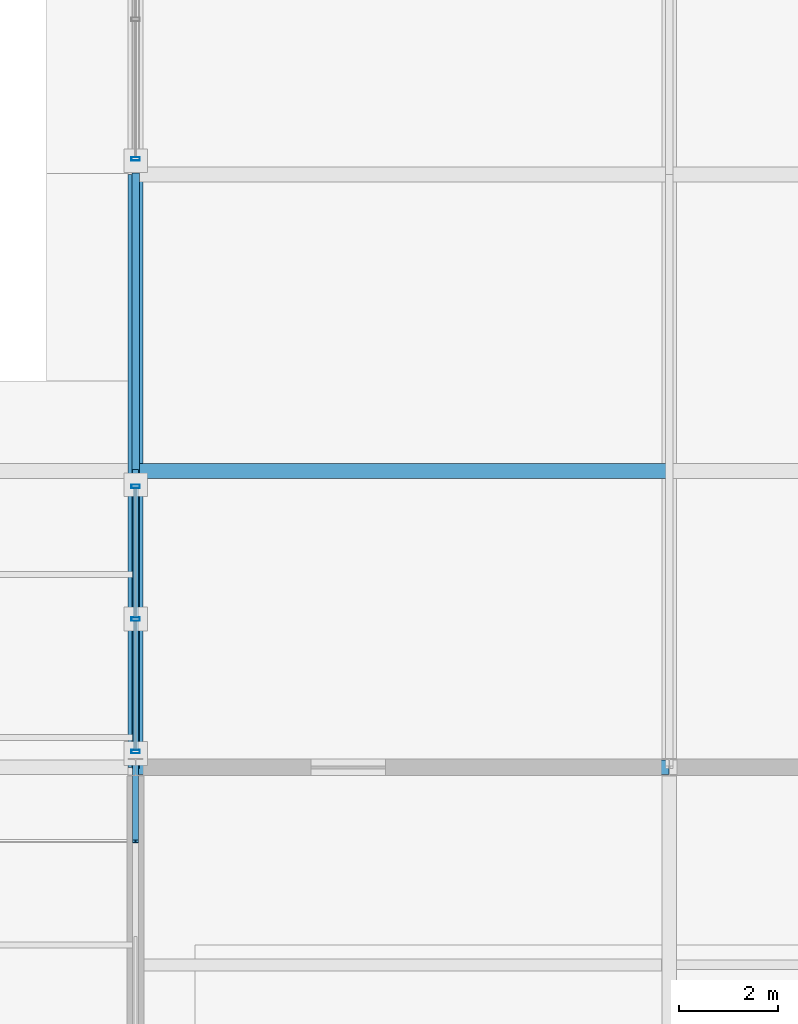
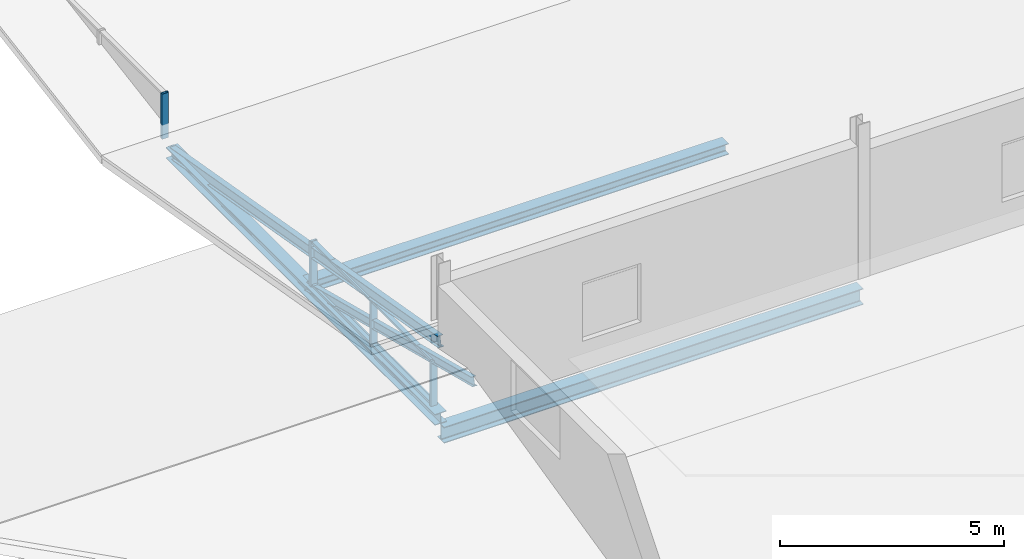
# One storey, part 81 of 117: 10 members, 3 beams, 2 elements without a shape of their own.
"""IFC4 building model written with IfcOpenShell, lengths in metres."""

from ifc_helpers import new_model, si_unit, direction, frame, origin, origin_2d, place, context, subcontext, project, spatial, hollow_rectangle, i_section, extrude, material, material_profile, profile_set, type_object, element, aggregate, save


model = new_model("IFC4")

# Units and contexts
model_context = context("Model", 3, precision=1e-05, world=origin(), true_north=direction((0.0, 1.0)))
body_context = subcontext(model_context, "Body", "Model", "MODEL_VIEW")
ifc_project = project(units=[si_unit("LENGTHUNIT", "METRE"), si_unit("AREAUNIT", "SQUARE_METRE"), si_unit("VOLUMEUNIT", "CUBIC_METRE"), si_unit("PLANEANGLEUNIT", "RADIAN"), si_unit("MASSUNIT", "GRAM", prefix="KILO")], contexts=[model_context])

# Site, building, storey
site_placement = place(None, origin())
site = spatial("IfcSite", under=ifc_project, at=site_placement, CompositionType="ELEMENT")
building_placement = place(site_placement, origin())
building = spatial("IfcBuilding", under=site, at=building_placement, Name="Merenkruunu Market Hall", CompositionType="ELEMENT")
storey_placement = place(building_placement, frame((0.0, 0.0, 10.199951171875)))
storey = spatial("IfcBuildingStorey", under=building, at=storey_placement, Name="L02", CompositionType="ELEMENT", Elevation=10.199951171875)

# Curtain wall, members
ifc_material_1 = material(Name="Powder-coated aluminium", Category="aluminium")
curtain_wall_type = type_object("IfcCurtainWallType", Name="Clerestory Curtain Band CL03", PredefinedType="USERDEFINED", material=ifc_material_1)
curtain_wall_1_placement = place(storey_placement, origin())
curtain_wall_1 = element("IfcCurtainWall", 1, at=curtain_wall_1_placement, inside=storey, type_object=curtain_wall_type, Name="CW-L02-CWM04-232", ObjectType="CLERESTORY_BAND", PredefinedType="USERDEFINED")
ifc_material_profile_1 = material_profile(ifc_material_1, hollow_rectangle(XDim=0.070068359375, YDim=0.169921875, WallThickness=0.0048828125, at=origin_2d()), Name="ALU 70x170x5")
ifc_profile_set_1 = profile_set([ifc_material_profile_1], Name="Powder-coated aluminium")
member_type_1 = type_object("IfcMemberType", Name="Curtain Wall Mullion CWM04", PredefinedType="MULLION", material=ifc_profile_set_1)
member_1_placement = place(storey_placement, frame((148.800048828125, 39.9150390625, 0.02001953125), z_axis=(0.0, 0.0, 1.0), x_axis=(0.0, 1.0, 0.0)))
member_1 = element("IfcMember", 2, at=member_1_placement, type_object=member_type_1, Name="CL03 mullion 1", PredefinedType="MULLION", context=body_context, shape_type="SweptSolid", body=[
    extrude(hollow_rectangle(XDim=0.070068359375, YDim=0.169921875, WallThickness=0.0048828125, at=origin_2d()), origin(), (0.0, 0.0, 1.0), 1.22998046875),
])
member_2_placement = place(storey_placement, frame((148.800048828125, 42.60009765625, 0.02001953125), z_axis=(0.0, 0.0, 1.0), x_axis=(0.0, 1.0, 0.0)))
member_2 = element("IfcMember", 3, at=member_2_placement, type_object=member_type_1, Name="CL03 mullion 2", PredefinedType="MULLION", context=body_context, shape_type="SweptSolid", body=[
    extrude(hollow_rectangle(XDim=0.070068359375, YDim=0.169921875, WallThickness=0.0048828125, at=origin_2d()), origin(), (0.0, 0.0, 1.0), 1.22998046875),
])
member_3_placement = place(storey_placement, frame((148.800048828125, 45.284912109375, 0.02001953125), z_axis=(0.0, 0.0, 1.0), x_axis=(0.0, 1.0, 0.0)))
member_3 = element("IfcMember", 4, at=member_3_placement, type_object=member_type_1, Name="CL03 mullion 3", PredefinedType="MULLION", context=body_context, shape_type="SweptSolid", body=[
    extrude(hollow_rectangle(XDim=0.070068359375, YDim=0.169921875, WallThickness=0.0048828125, at=origin_2d()), origin(), (0.0, 0.0, 1.0), 1.22998046875),
])

# Curtain wall, member
curtain_wall_2_placement = place(storey_placement, origin())
curtain_wall_2 = element("IfcCurtainWall", 5, at=curtain_wall_2_placement, inside=storey, type_object=curtain_wall_type, Name="CW-L02-CWM04-234", ObjectType="CLERESTORY_BAND", PredefinedType="USERDEFINED")
member_4_placement = place(storey_placement, frame((148.800048828125, 51.9150390625, 0.02001953125), z_axis=(0.0, 0.0, 1.0), x_axis=(0.0, 1.0, 0.0)))
member_4 = element("IfcMember", 6, at=member_4_placement, type_object=member_type_1, Name="CL03 mullion 1", PredefinedType="MULLION", context=body_context, shape_type="SweptSolid", body=[
    extrude(hollow_rectangle(XDim=0.070068359375, YDim=0.169921875, WallThickness=0.0048828125, at=origin_2d()), origin(), (0.0, 0.0, 1.0), 1.22998046875),
])
aggregate(curtain_wall_2, [member_4])

# Member
ifc_material_profile_2 = material_profile(ifc_material_1, hollow_rectangle(XDim=0.06005859375, YDim=0.110107421875, WallThickness=0.00390625, at=origin_2d()), Name="ALU 60x110x4")
ifc_profile_set_2 = profile_set([ifc_material_profile_2], Name="Powder-coated aluminium")
member_type_2 = type_object("IfcMemberType", Name="Curtain Wall Transom CWT03", PredefinedType="USERDEFINED", material=ifc_profile_set_2)
member_5_placement = place(storey_placement, frame((148.800048828125, 39.949951171875, 0.050048828125), z_axis=(0.0, 1.0, 0.0), x_axis=(0.0, 0.0, 1.0)))
member_5 = element("IfcMember", 7, at=member_5_placement, type_object=member_type_2, Name="CL03 transom 1.1", ObjectType="TRANSOM", PredefinedType="USERDEFINED", context=body_context, shape_type="SweptSolid", body=[
    extrude(hollow_rectangle(XDim=0.06005859375, YDim=0.110107421875, WallThickness=0.00390625, at=origin_2d()), origin(), (0.0, 0.0, 1.0), 2.614990234375),
])

member_6_placement = place(storey_placement, frame((148.800048828125, 39.949951171875, 1.219970703125), z_axis=(0.0, 1.0, 0.0), x_axis=(0.0, 0.0, 1.0)))
member_6 = element("IfcMember", 8, at=member_6_placement, type_object=member_type_2, Name="CL03 transom 1.2", ObjectType="TRANSOM", PredefinedType="USERDEFINED", context=body_context, shape_type="SweptSolid", body=[
    extrude(hollow_rectangle(XDim=0.06005859375, YDim=0.110107421875, WallThickness=0.00390625, at=origin_2d()), origin(), (0.0, 0.0, 1.0), 2.614990234375),
])

member_7_placement = place(storey_placement, frame((148.800048828125, 42.635009765625, 0.050048828125), z_axis=(0.0, 1.0, 0.0), x_axis=(0.0, 0.0, 1.0)))
member_7 = element("IfcMember", 9, at=member_7_placement, type_object=member_type_2, Name="CL03 transom 2.1", ObjectType="TRANSOM", PredefinedType="USERDEFINED", context=body_context, shape_type="SweptSolid", body=[
    extrude(hollow_rectangle(XDim=0.06005859375, YDim=0.110107421875, WallThickness=0.00390625, at=origin_2d()), origin(), (0.0, 0.0, 1.0), 2.614990234375),
])

member_8_placement = place(storey_placement, frame((148.800048828125, 42.635009765625, 1.219970703125), z_axis=(0.0, 1.0, 0.0), x_axis=(0.0, 0.0, 1.0)))
member_8 = element("IfcMember", 10, at=member_8_placement, type_object=member_type_2, Name="CL03 transom 2.2", ObjectType="TRANSOM", PredefinedType="USERDEFINED", context=body_context, shape_type="SweptSolid", body=[
    extrude(hollow_rectangle(XDim=0.06005859375, YDim=0.110107421875, WallThickness=0.00390625, at=origin_2d()), origin(), (0.0, 0.0, 1.0), 2.614990234375),
])

aggregate(curtain_wall_1, [member_1, member_2, member_3, member_5, member_6, member_7, member_8])

# Beams
ifc_material_2 = material(Name="Steel S355J2", Category="steel")
ifc_material_profile_3 = material_profile(ifc_material_2, i_section(OverallWidth=0.300048828125, OverallDepth=0.300048828125, WebThickness=0.010986328125, FlangeThickness=0.01904296875, FilletRadius=0.027099609375, at=origin_2d()), Name="HEB 300")
ifc_profile_set_3 = profile_set([ifc_material_profile_3], Name="Steel S355J2")
beam_type_1 = type_object("IfcBeamType", Name="Primary Floor Girder B05", PredefinedType="BEAM", material=ifc_profile_set_3)
beam_1_placement = place(storey_placement, frame((148.800048828125, 45.60009765625, -0.14990234375), z_axis=(1.0, 0.0, 0.0), x_axis=(0.0, 1.0, 0.0)))
element("IfcBeam", 11, at=beam_1_placement, inside=storey, type_object=beam_type_1, Name="BM-L02-B05-1042", PredefinedType="BEAM", context=body_context, shape_type="SweptSolid", body=[
    extrude(i_section(OverallWidth=0.300048828125, OverallDepth=0.300048828125, WebThickness=0.010986328125, FlangeThickness=0.01904296875, FilletRadius=0.027099609375, at=origin_2d()), origin(), (0.0, 0.0, 1.0), 10.800048828125),
])
beam_2_placement = place(storey_placement, frame((148.800048828125, 39.60009765625, -0.14990234375), z_axis=(0.0, 1.0, 0.0), x_axis=(-1.0, 0.0, 0.0)))
element("IfcBeam", 12, at=beam_2_placement, inside=storey, type_object=beam_type_1, Name="BM-L02-B05-1054", PredefinedType="BEAM", context=body_context, shape_type="SweptSolid", body=[
    extrude(i_section(OverallWidth=0.300048828125, OverallDepth=0.300048828125, WebThickness=0.010986328125, FlangeThickness=0.01904296875, FilletRadius=0.027099609375, at=origin_2d()), origin(), (0.0, 0.0, 1.0), 12.0),
])
ifc_material_profile_4 = material_profile(ifc_material_2, i_section(OverallWidth=0.300048828125, OverallDepth=0.43994140625, WebThickness=0.011474609375, FlangeThickness=0.02099609375, FilletRadius=0.027099609375, at=origin_2d()), Name="HEA 450")
ifc_profile_set_4 = profile_set([ifc_material_profile_4], Name="Steel S355J2")
beam_type_2 = type_object("IfcBeamType", Name="Primary Floor Girder B07", PredefinedType="BEAM", material=ifc_profile_set_4)
beam_3_placement = place(storey_placement, frame((148.800048828125, 39.60009765625, -0.530029296875), z_axis=(1.0, 0.0, 0.0), x_axis=(0.0, 1.0, 0.0)))
element("IfcBeam", 13, at=beam_3_placement, inside=storey, type_object=beam_type_2, Name="BM-L02-B07-0765", PredefinedType="BEAM", context=body_context, shape_type="SweptSolid", body=[
    extrude(i_section(OverallWidth=0.300048828125, OverallDepth=0.43994140625, WebThickness=0.011474609375, FlangeThickness=0.02099609375, FilletRadius=0.027099609375, at=origin_2d()), origin(), (0.0, 0.0, 1.0), 10.800048828125),
])

# Members
ifc_material_3 = material(Name="Steel S355ML", Category="steel")
ifc_material_profile_5 = material_profile(ifc_material_3, i_section(OverallWidth=0.14990234375, OverallDepth=0.300048828125, WebThickness=0.007080078125, FlangeThickness=0.0107421875, FilletRadius=0.014892578125, at=origin_2d()), Name="IPE 300")
ifc_profile_set_5 = profile_set([ifc_material_profile_5], Name="Steel S355ML")
member_type_3 = type_object("IfcMemberType", Name="Roof Purlin Rafter PR01", PredefinedType="PURLIN", material=ifc_profile_set_5)
member_9_placement = place(storey_placement, frame((148.800048828125, 51.60009765625, -0.159912109375), z_axis=(0.0, -0.985032508815, 0.17236866472), x_axis=(1.0, 0.0, 0.0)))
element("IfcMember", 14, at=member_9_placement, inside=storey, type_object=member_type_3, Name="MEM-V3BF-RS-149", PredefinedType="PURLIN", context=body_context, shape_type="SweptSolid", body=[
    extrude(i_section(OverallWidth=0.14990234375, OverallDepth=0.300048828125, WebThickness=0.007080078125, FlangeThickness=0.0107421875, FilletRadius=0.014892578125, at=origin_2d()), origin(), (0.0, 0.0, 1.0), 12.182373046875),
])
ifc_material_profile_6 = material_profile(ifc_material_3, i_section(OverallWidth=0.1201171875, OverallDepth=0.239990234375, WebThickness=0.006103515625, FlangeThickness=0.009765625, FilletRadius=0.014892578125, at=origin_2d()), Name="IPE 240")
ifc_profile_set_6 = profile_set([ifc_material_profile_6], Name="Steel S355ML")
member_type_4 = type_object("IfcMemberType", Name="Roof Purlin Rafter PR02", PredefinedType="PURLIN", material=ifc_profile_set_6)
member_10_placement = place(storey_placement, frame((148.800048828125, 38.10009765625, 1.760009765625), z_axis=(0.0, 0.969071803279, -0.246778929591), x_axis=(-1.0, 0.0, 0.0)))
element("IfcMember", 15, at=member_10_placement, inside=storey, type_object=member_type_4, Name="MEM-V2-RAFT-028", PredefinedType="PURLIN", context=body_context, shape_type="SweptSolid", body=[
    extrude(i_section(OverallWidth=0.1201171875, OverallDepth=0.239990234375, WebThickness=0.006103515625, FlangeThickness=0.009765625, FilletRadius=0.014892578125, at=origin_2d()), origin(), (0.0, 0.0, 1.0), 7.7392578125),
])

save(model, "model.ifc")
